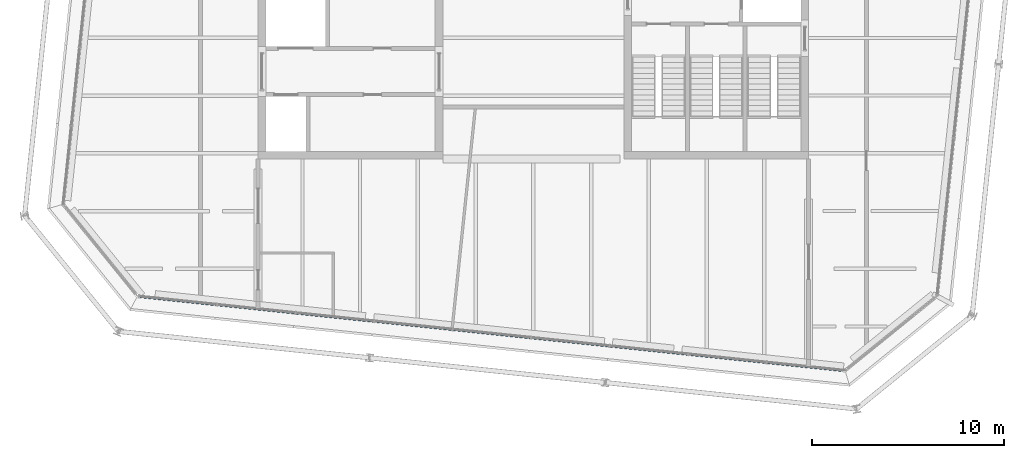
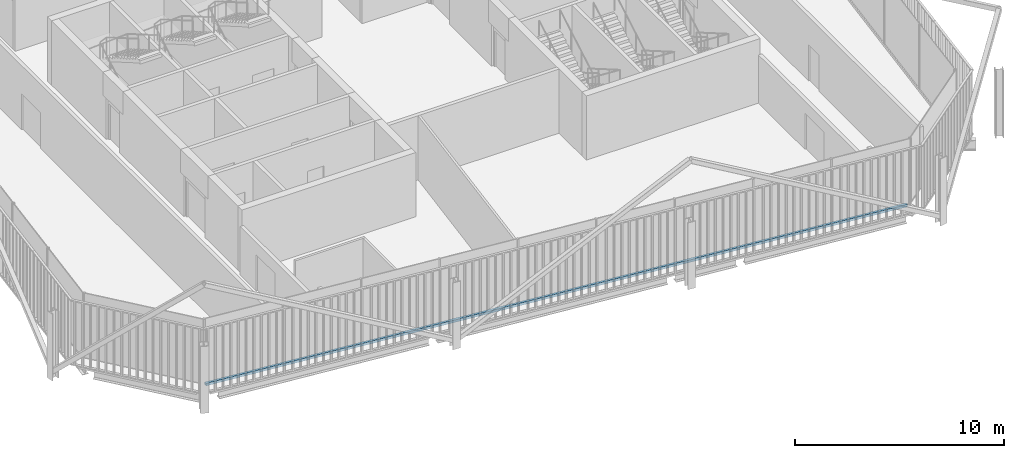
# One storey, part 4 of 21: 1 member, 1 element without a shape of its own.
"""IFC4 building model written with IfcOpenShell, lengths in metres."""

from ifc_helpers import new_model, si_unit, direction, frame, origin, origin_2d, place, context, subcontext, project, spatial, rectangle, extrude, material, layer, layer_set, material_profile, profile_set, type_object, element, aggregate, save


model = new_model("IFC4")

# Units and contexts
model_context = context("Model", 3, precision=1e-05, world=origin(), true_north=direction((0.0, 1.0)))
body_context = subcontext(model_context, "Body", "Model", "MODEL_VIEW")
ifc_project = project(units=[si_unit("LENGTHUNIT", "METRE"), si_unit("AREAUNIT", "SQUARE_METRE"), si_unit("VOLUMEUNIT", "CUBIC_METRE"), si_unit("PLANEANGLEUNIT", "RADIAN"), si_unit("MASSUNIT", "GRAM", prefix="KILO")], contexts=[model_context])

# Site, building, storey
site_placement = place(None, origin())
site = spatial("IfcSite", under=ifc_project, at=site_placement, CompositionType="ELEMENT")
building_placement = place(site_placement, origin())
building = spatial("IfcBuilding", under=site, at=building_placement, Name="Millrace Tower", CompositionType="ELEMENT")
storey_placement = place(building_placement, frame((0.0, 0.0, 276.0)))
storey = spatial("IfcBuildingStorey", under=building, at=storey_placement, Name="L63", CompositionType="ELEMENT", Elevation=276.0)

# Curtain wall, member
ifc_material_1 = material(Name="Aluminium and glass", Category="aluminium")
ifc_layer = layer(ifc_material_1, 0.14990234375)
ifc_layer_set = layer_set([ifc_layer], Name="Aluminium and glass")
curtain_wall_type = type_object("IfcCurtainWallType", Name="CW-1 office vision curtain wall", PredefinedType="NOTDEFINED", material=ifc_layer_set)
curtain_wall_placement = place(storey_placement, origin())
curtain_wall = element("IfcCurtainWall", 1, at=curtain_wall_placement, inside=storey, type_object=curtain_wall_type, Name="Curtain wall E-F02 L63", PredefinedType="NOTDEFINED")
ifc_material_2 = material(Name="Aluminium", Category="aluminium")
ifc_material_profile = material_profile(ifc_material_2, rectangle(XDim=0.14990234375, YDim=0.139892578125, at=origin_2d()))
ifc_profile_set = profile_set([ifc_material_profile], Name="Aluminium")
member_type = type_object("IfcMemberType", Name="CW-1 office vision curtain wall transom", PredefinedType="USERDEFINED", material=ifc_profile_set)
member_placement = place(storey_placement, frame((-20.435302734375, -16.431884765625, 0.070068359375), z_axis=(0.994521952886, -0.104527916025, 0.0), x_axis=(0.104527916025, 0.994521952886, 0.0)))
member = element("IfcMember", 2, at=member_placement, type_object=member_type, Name="CW1 transom E-F02.1", ObjectType="TRANSOM", PredefinedType="USERDEFINED", context=body_context, shape_type="SweptSolid", body=[
    extrude(rectangle(XDim=0.14990234375, YDim=0.139892578125, at=origin_2d()), origin(), (0.0, 0.0, 1.0), 36.699951171875),
])
aggregate(curtain_wall, [member])

save(model, "model.ifc")
